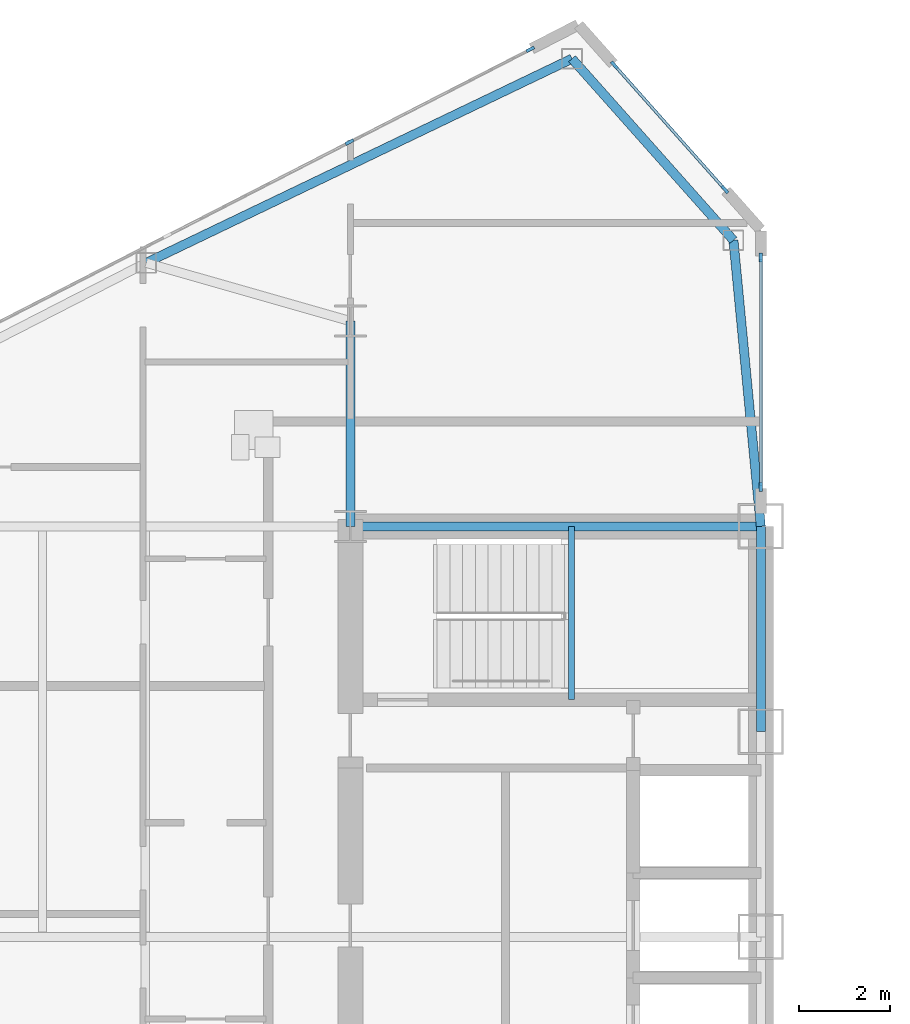
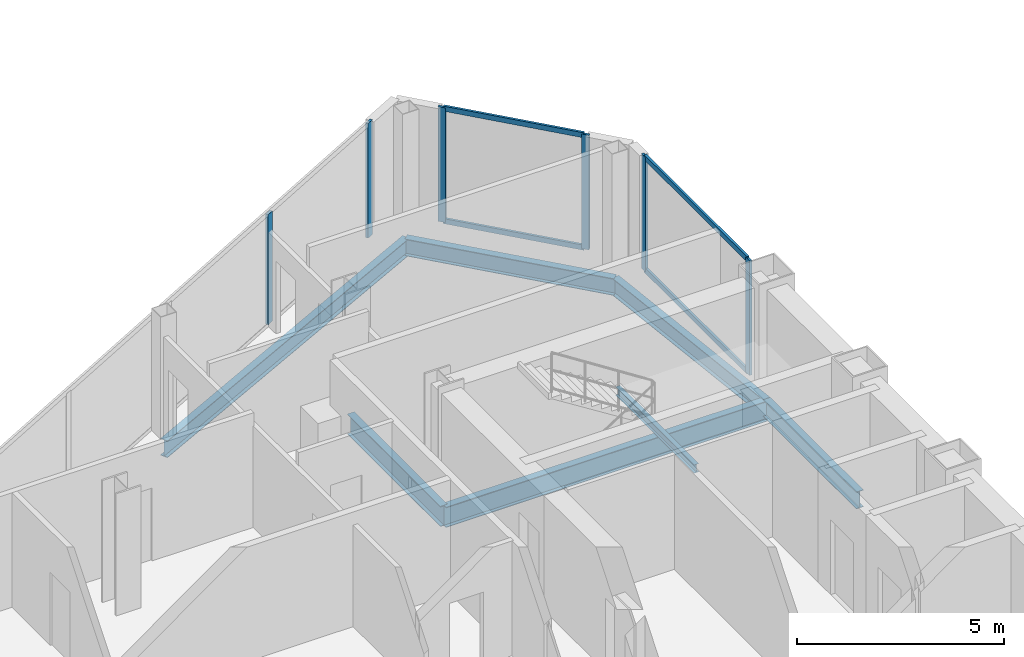
# One storey, part 7 of 24: 10 members, 7 beams, 3 elements without a shape of their own.
"""IFC4 building model written with IfcOpenShell, lengths in metres."""

from ifc_helpers import new_model, si_unit, direction, frame, origin, origin_2d, place, context, subcontext, project, spatial, rectangle, i_section, extrude, source, transform, mapped, material, layer, layer_set, material_profile, profile_set, type_object, type_shapes, element, aggregate, save


model = new_model("IFC4")

# Units and contexts
model_context = context("Model", 3, precision=1e-05, world=origin(), true_north=direction((0.0, 1.0)))
body_context = subcontext(model_context, "Body", "Model", "MODEL_VIEW")
ifc_project = project(units=[si_unit("LENGTHUNIT", "METRE"), si_unit("AREAUNIT", "SQUARE_METRE"), si_unit("VOLUMEUNIT", "CUBIC_METRE"), si_unit("PLANEANGLEUNIT", "RADIAN"), si_unit("MASSUNIT", "GRAM", prefix="KILO")], contexts=[model_context])

# Site, building, storey
site_placement = place(None, origin())
site = spatial("IfcSite", under=ifc_project, at=site_placement, CompositionType="ELEMENT")
building_placement = place(site_placement, origin())
building = spatial("IfcBuilding", under=site, at=building_placement, Name="Seokmaru Belvedere", CompositionType="ELEMENT")
storey_placement = place(building_placement, frame((0.0, 0.0, 140.39990234375)))
storey = spatial("IfcBuildingStorey", under=building, at=storey_placement, Name="L37", CompositionType="ELEMENT", Elevation=140.39990234375)

# Beams
ifc_material_1 = material(Name="Steel SM355 (355 MPa)", Category="steel")
ifc_material_profile_1 = material_profile(ifc_material_1, i_section(OverallWidth=0.199951171875, OverallDepth=0.5, WebThickness=0.010009765625, FlangeThickness=0.01611328125, at=origin_2d()), Name="H-500x200x10x16")
ifc_profile_set_1 = profile_set([ifc_material_profile_1], Name="Steel SM355 (355 MPa)")
beam_type_1 = type_object("IfcBeamType", Name="Perimeter Spandrel Beam H-500", PredefinedType="SPANDREL", material=ifc_profile_set_1)
shared_shape_1 = source(origin(), body_context, "Body", "SweptSolid", [
    extrude(i_section(OverallWidth=0.199951171875, OverallDepth=0.5, WebThickness=0.010009765625, FlangeThickness=0.01611328125, at=origin_2d()), origin(), (0.0, 0.0, 1.0), 4.5),
])
beam_1_placement = place(storey_placement, frame((-27.5, 9.0, -0.469970703125), z_axis=(0.0, 1.0, 0.0), x_axis=(-1.0, 0.0, 0.0)))
element("IfcBeam", 1, at=beam_1_placement, inside=storey, type_object=beam_type_1, Name="L37 W Portal Spine Spandrel 5", PredefinedType="SPANDREL", context=body_context, shape_type="MappedRepresentation", body=[
    mapped(shared_shape_1, transform((0.0, 0.0, 0.0), scale=1.0)),
])
ifc_material_profile_2 = material_profile(ifc_material_1, i_section(OverallWidth=0.199951171875, OverallDepth=0.60009765625, WebThickness=0.010986328125, FlangeThickness=0.01708984375, at=origin_2d()), Name="H-600x200x11x17")
ifc_profile_set_2 = profile_set([ifc_material_profile_2], Name="Steel SM355 (355 MPa)")
beam_type_2 = type_object("IfcBeamType", Name="Primary Floor Girder H-600", PredefinedType="BEAM", material=ifc_profile_set_2)
shared_shape_2 = source(origin(), body_context, "Body", "SweptSolid", [
    extrude(i_section(OverallWidth=0.199951171875, OverallDepth=0.60009765625, WebThickness=0.010986328125, FlangeThickness=0.01708984375, at=origin_2d()), origin(), (0.0, 0.0, 1.0), 9.0),
])
beam_2_placement = place(storey_placement, frame((-36.5, 13.5, -0.52001953125), z_axis=(1.0, 0.0, 0.0), x_axis=(0.0, 1.0, 0.0)))
element("IfcBeam", 2, at=beam_2_placement, inside=storey, type_object=beam_type_2, Name="L37 W Core Tie Girder 4", PredefinedType="BEAM", context=body_context, shape_type="MappedRepresentation", body=[
    mapped(shared_shape_2, transform((0.0, 0.0, 0.0), scale=1.0)),
])
shared_shape_3 = source(origin(), body_context, "Body", "SweptSolid", [
    extrude(i_section(OverallWidth=0.199951171875, OverallDepth=0.60009765625, WebThickness=0.010986328125, FlangeThickness=0.01708984375, at=origin_2d()), origin(), (0.0, 0.0, 1.0), 4.5),
])
type_shapes(beam_type_2, [shared_shape_2, shared_shape_3])
beam_3_placement = place(storey_placement, frame((-36.5, 13.5, -0.52001953125), z_axis=(0.0, 1.0, 0.0), x_axis=(-1.0, 0.0, 0.0)))
element("IfcBeam", 3, at=beam_3_placement, inside=storey, type_object=beam_type_2, Name="L37 W Core Shoulder Girder N", PredefinedType="BEAM", context=body_context, shape_type="MappedRepresentation", body=[
    mapped(shared_shape_3, transform((0.0, 0.0, 0.0), scale=1.0)),
])
shared_shape_4 = source(origin(), body_context, "Body", "SweptSolid", [
    extrude(i_section(OverallWidth=0.199951171875, OverallDepth=0.5, WebThickness=0.010009765625, FlangeThickness=0.01611328125, at=origin_2d()), origin(), (0.0, 0.0, 1.0), 10.353759765625),
])
beam_4_placement = place(storey_placement, frame((-31.6396484375, 23.75390625, -0.469970703125), z_axis=(-0.901713202822, -0.432334708134, 0.0), x_axis=(0.432334708134, -0.901713202822, 0.0)))
element("IfcBeam", 4, at=beam_4_placement, inside=storey, type_object=beam_type_1, Name="L37 W Faceted Flank Spandrel N-1", PredefinedType="SPANDREL", context=body_context, shape_type="MappedRepresentation", body=[
    mapped(shared_shape_4, transform((0.0, 0.0, 0.0), scale=1.0)),
])
shared_shape_5 = source(origin(), body_context, "Body", "SweptSolid", [
    extrude(i_section(OverallWidth=0.199951171875, OverallDepth=0.5, WebThickness=0.010009765625, FlangeThickness=0.01611328125, at=origin_2d()), origin(), (0.0, 0.0, 1.0), 5.32763671875),
])
beam_5_placement = place(storey_placement, frame((-31.6396484375, 23.75390625, -0.469970703125), z_axis=(0.66436952742, -0.74740426212, 0.0), x_axis=(0.74740426212, 0.66436952742, 0.0)))
element("IfcBeam", 5, at=beam_5_placement, inside=storey, type_object=beam_type_1, Name="L37 W Shoulder Chamfer Spandrel N", PredefinedType="SPANDREL", context=body_context, shape_type="MappedRepresentation", body=[
    mapped(shared_shape_5, transform((0.0, 0.0, 0.0), scale=1.0)),
])
shared_shape_6 = source(origin(), body_context, "Body", "SweptSolid", [
    extrude(i_section(OverallWidth=0.199951171875, OverallDepth=0.5, WebThickness=0.010009765625, FlangeThickness=0.01611328125, at=origin_2d()), origin(), (0.0, 0.0, 1.0), 6.300537109375),
])
type_shapes(beam_type_1, [shared_shape_1, shared_shape_4, shared_shape_5, shared_shape_6])
beam_6_placement = place(storey_placement, frame((-28.10009765625, 19.77197265625, -0.469970703125), z_axis=(0.095244287992, -0.995453929424, 0.0), x_axis=(0.995453929424, 0.095244287992, 0.0)))
element("IfcBeam", 6, at=beam_6_placement, inside=storey, type_object=beam_type_1, Name="L37 W Shoulder Spine Spandrel N", PredefinedType="SPANDREL", context=body_context, shape_type="MappedRepresentation", body=[
    mapped(shared_shape_6, transform((0.0, 0.0, 0.0), scale=1.0)),
])

# Curtain wall, members
ifc_material_2 = material(Name="Bronze Triple Insulating Glass", Category="glass")
ifc_layer = layer(ifc_material_2, 0.195068359375)
ifc_layer_set = layer_set([ifc_layer], Name="Bronze Triple Insulating Glass")
curtain_wall_type = type_object("IfcCurtainWallType", Name="Sky-Lobby and Mid-Rise Curtain Wall System CW-4", PredefinedType="NOTDEFINED", material=ifc_layer_set)
curtain_wall_1_placement = place(storey_placement, origin())
curtain_wall_1 = element("IfcCurtainWall", 7, at=curtain_wall_1_placement, inside=storey, type_object=curtain_wall_type, Name="L37 Curtain Wall WSP_2", PredefinedType="NOTDEFINED")
ifc_material_3 = material(Name="Anodised Bronze Aluminium", Category="aluminium")
ifc_material_profile_3 = material_profile(ifc_material_3, rectangle(XDim=0.070068359375, YDim=0.195068359375, at=origin_2d()), Name="CW-M-70x195")
ifc_profile_set_3 = profile_set([ifc_material_profile_3], Name="Anodised Bronze Aluminium")
member_type_1 = type_object("IfcMemberType", Name="Bronze Unitised Mullion 70x195", PredefinedType="MULLION", material=ifc_profile_set_3)
shared_shape_7 = source(origin(), body_context, "Body", "SweptSolid", [
    extrude(rectangle(XDim=0.070068359375, YDim=0.195068359375, at=origin_2d()), origin(), (0.0, 0.0, 1.0), 3.380126953125),
])
member_1_placement = place(storey_placement, frame((-27.5, 14.364990234375, 0.0), z_axis=(0.0, 0.0, 1.0), x_axis=(-1.0, 0.0, 0.0)))
member_1 = element("IfcMember", 8, at=member_1_placement, type_object=member_type_1, Name="CW:L37:WSP_2 Mullion 1", PredefinedType="MULLION", context=body_context, shape_type="MappedRepresentation", body=[
    mapped(shared_shape_7, transform((0.0, 0.0, 0.0), scale=1.0)),
])
member_2_placement = place(storey_placement, frame((-27.5, 19.39501953125, 0.0), z_axis=(0.0, 0.0, 1.0), x_axis=(-1.0, 0.0, 0.0)))
member_2 = element("IfcMember", 9, at=member_2_placement, type_object=member_type_1, Name="CW:L37:WSP_2 Mullion 2", PredefinedType="MULLION", context=body_context, shape_type="MappedRepresentation", body=[
    mapped(shared_shape_7, transform((0.0, 0.0, 0.0), scale=1.0)),
])

curtain_wall_2_placement = place(storey_placement, origin())
curtain_wall_2 = element("IfcCurtainWall", 10, at=curtain_wall_2_placement, inside=storey, type_object=curtain_wall_type, Name="L37 Curtain Wall WF2", PredefinedType="NOTDEFINED")
member_3_placement = place(storey_placement, frame((-28.287353515625, 20.8857421875, 0.0), z_axis=(0.0, 0.0, 1.0), x_axis=(-0.747409774804, -0.664363325694, 0.0)))
member_3 = element("IfcMember", 11, at=member_3_placement, type_object=member_type_1, Name="CW:L37:WF2 Mullion 1", PredefinedType="MULLION", context=body_context, shape_type="MappedRepresentation", body=[
    mapped(shared_shape_7, transform((0.0, 0.0, 0.0), scale=1.0)),
])
member_4_placement = place(storey_placement, frame((-30.712646484375, 23.6142578125, 0.0), z_axis=(0.0, 0.0, 1.0), x_axis=(-0.747409774804, -0.664363325694, 0.0)))
member_4 = element("IfcMember", 12, at=member_4_placement, type_object=member_type_1, Name="CW:L37:WF2 Mullion 2", PredefinedType="MULLION", context=body_context, shape_type="MappedRepresentation", body=[
    mapped(shared_shape_7, transform((0.0, 0.0, 0.0), scale=1.0)),
])

# Curtain wall, member
curtain_wall_3_placement = place(storey_placement, origin())
curtain_wall_3 = element("IfcCurtainWall", 13, at=curtain_wall_3_placement, inside=storey, type_object=curtain_wall_type, Name="L37 Curtain Wall WF3", PredefinedType="NOTDEFINED")
member_5_placement = place(storey_placement, frame((-32.55419921875, 23.958984375, 0.0), z_axis=(0.0, 0.0, 1.0), x_axis=(0.456554528263, -0.889695432562, 0.0)))
member_5 = element("IfcMember", 14, at=member_5_placement, type_object=member_type_1, Name="CW:L37:WF3 Mullion 1", PredefinedType="MULLION", context=body_context, shape_type="MappedRepresentation", body=[
    mapped(shared_shape_7, transform((0.0, 0.0, 0.0), scale=1.0)),
])

# Member
ifc_material_profile_4 = material_profile(ifc_material_3, rectangle(XDim=0.06494140625, YDim=0.14990234375, at=origin_2d()), Name="CW-T-65x150")
ifc_profile_set_4 = profile_set([ifc_material_profile_4], Name="Anodised Bronze Aluminium")
member_type_2 = type_object("IfcMemberType", Name="Bronze Unitised Transom 65x150", PredefinedType="USERDEFINED", material=ifc_profile_set_4)
shared_shape_8 = source(origin(), body_context, "Body", "SweptSolid", [
    extrude(rectangle(XDim=0.06494140625, YDim=0.14990234375, at=origin_2d()), origin(), (0.0, 0.0, 1.0), 3.580810546875),
])
member_6_placement = place(storey_placement, frame((-28.310546875, 20.911865234375, 0.03271484375), z_axis=(-0.66436383883, 0.747409318684, 0.0), x_axis=(-0.747409318684, -0.66436383883, 0.0)))
member_6 = element("IfcMember", 15, at=member_6_placement, type_object=member_type_2, Name="CW:L37:WF2 Continuous Transom 1", ObjectType="TRANSOM", PredefinedType="USERDEFINED", context=body_context, shape_type="MappedRepresentation", body=[
    mapped(shared_shape_8, transform((0.0, 0.0, 0.0), scale=1.0)),
])

member_7_placement = place(storey_placement, frame((-28.310546875, 20.911865234375, 3.34765625), z_axis=(-0.66436383883, 0.747409318684, 0.0), x_axis=(-0.747409318684, -0.66436383883, 0.0)))
member_7 = element("IfcMember", 16, at=member_7_placement, type_object=member_type_2, Name="CW:L37:WF2 Continuous Transom 2", ObjectType="TRANSOM", PredefinedType="USERDEFINED", context=body_context, shape_type="MappedRepresentation", body=[
    mapped(shared_shape_8, transform((0.0, 0.0, 0.0), scale=1.0)),
])

aggregate(curtain_wall_2, [member_3, member_4, member_6, member_7])

shared_shape_9 = source(origin(), body_context, "Body", "SweptSolid", [
    extrude(rectangle(XDim=0.070068359375, YDim=0.195068359375, at=origin_2d()), origin(), (0.0, 0.0, 1.0), 3.25),
])
type_shapes(member_type_1, [shared_shape_7, shared_shape_9])
member_8_placement = place(storey_placement, frame((-36.51806640625, 21.925048828125, 0.065185546875), z_axis=(0.0, 0.0, 1.0), x_axis=(0.456554528263, -0.889695432562, 0.0)))
member_8 = element("IfcMember", 17, at=member_8_placement, type_object=member_type_1, Name="CW:L37:WF3 Mullion 2", PredefinedType="MULLION", context=body_context, shape_type="MappedRepresentation", body=[
    mapped(shared_shape_9, transform((0.0, 0.0, 0.0), scale=1.0)),
])

aggregate(curtain_wall_3, [member_5, member_8])

shared_shape_10 = source(origin(), body_context, "Body", "SweptSolid", [
    extrude(rectangle(XDim=0.06494140625, YDim=0.14990234375, at=origin_2d()), origin(), (0.0, 0.0, 1.0), 4.960205078125),
])
type_shapes(member_type_2, [shared_shape_8, shared_shape_10])
member_9_placement = place(storey_placement, frame((-27.5, 14.39990234375, 0.03271484375), z_axis=(0.0, 1.0, 0.0), x_axis=(-1.0, 0.0, 0.0)))
member_9 = element("IfcMember", 18, at=member_9_placement, type_object=member_type_2, Name="CW:L37:WSP_2 Continuous Transom 1", ObjectType="TRANSOM", PredefinedType="USERDEFINED", context=body_context, shape_type="MappedRepresentation", body=[
    mapped(shared_shape_10, transform((0.0, 0.0, 0.0), scale=1.0)),
])

member_10_placement = place(storey_placement, frame((-27.5, 14.39990234375, 3.34765625), z_axis=(0.0, 1.0, 0.0), x_axis=(-1.0, 0.0, 0.0)))
member_10 = element("IfcMember", 19, at=member_10_placement, type_object=member_type_2, Name="CW:L37:WSP_2 Continuous Transom 2", ObjectType="TRANSOM", PredefinedType="USERDEFINED", context=body_context, shape_type="MappedRepresentation", body=[
    mapped(shared_shape_10, transform((0.0, 0.0, 0.0), scale=1.0)),
])

aggregate(curtain_wall_1, [member_1, member_2, member_9, member_10])

# Beam
ifc_material_profile_5 = material_profile(ifc_material_1, i_section(OverallWidth=0.125, OverallDepth=0.25, WebThickness=0.006103515625, FlangeThickness=0.009033203125, at=origin_2d()), Name="H-250x125x6x9")
ifc_profile_set_5 = profile_set([ifc_material_profile_5], Name="Steel SM355 (355 MPa)")
beam_type_3 = type_object("IfcBeamType", Name="Stair Mid-Landing Support Beam H-250", PredefinedType="JOIST", material=ifc_profile_set_5)
shared_shape_11 = source(origin(), body_context, "Body", "SweptSolid", [
    extrude(i_section(OverallWidth=0.125, OverallDepth=0.25, WebThickness=0.006103515625, FlangeThickness=0.009033203125, at=origin_2d()), origin(), (0.0, 0.0, 1.0), 3.800048828125),
])
type_shapes(beam_type_3, [shared_shape_11])
beam_7_placement = place(storey_placement, frame((-31.64990234375, 9.699951171875, 1.47509765625), z_axis=(0.0, 1.0, 0.0), x_axis=(-1.0, 0.0, 0.0)))
element("IfcBeam", 20, at=beam_7_placement, inside=storey, type_object=beam_type_3, Name="L37 Stair ST-W2 Mid-Landing Support Beam 1", PredefinedType="JOIST", context=body_context, shape_type="MappedRepresentation", body=[
    mapped(shared_shape_11, transform((0.0, 0.0, 0.0), scale=1.0)),
])

save(model, "model.ifc")
